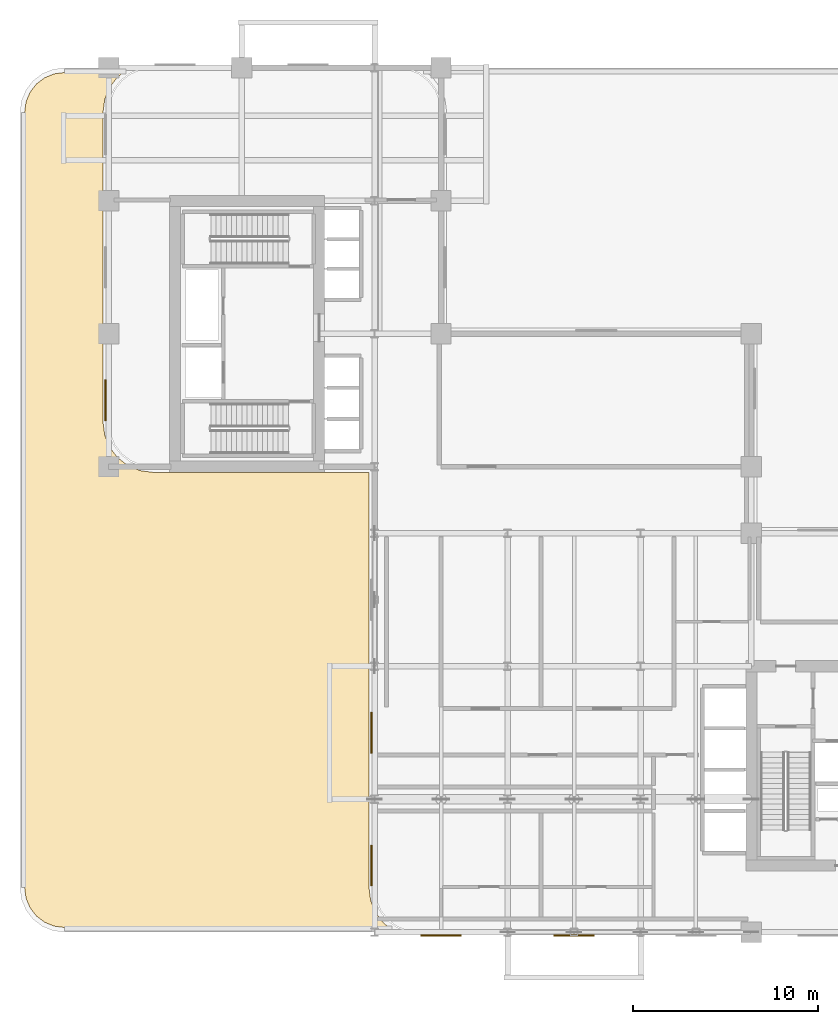
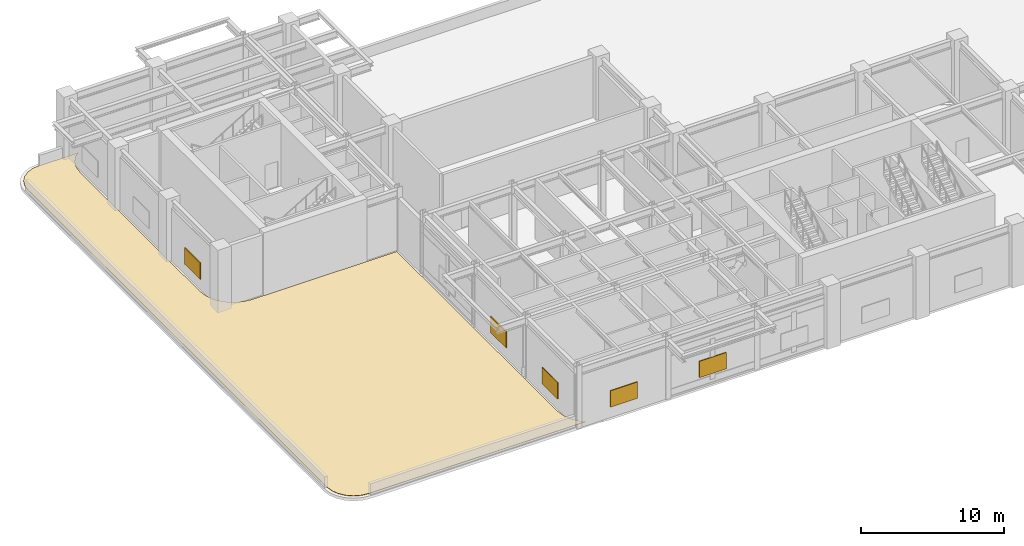
# One storey, part 10 of 14: 5 shading devices, 1 covering.
"""IFC4 building model written with IfcOpenShell, lengths in metres."""

import ifcopenshell
import ifcopenshell.guid

model = None  # the IFC model being written
_history = None  # IfcOwnerHistory: only IFC2X3 demands one
_inside = {}  # id of a spatial element -> (the spatial element, [elements in it])
_under = {}  # id of a project, library or spatial element -> (it, [spatial elements below it])
_declared = {}  # id of a project -> (the project, [libraries it declares])
_typed = {}  # id of a type object -> (the type object, [elements of that type])
_made_of = {}  # id of a material, layer set ... -> (it, [elements and type objects made of it])


def new_model(schema):
    """Start an empty IFC model of exactly this schema.

    Asked for "IFC4X3", IfcOpenShell would pick the latest addendum, in which some entities
    have other attributes; the version numbers below select the first issue.
    IFC2X3 requires an IfcOwnerHistory on every rooted entity: one is made here for all.
    """
    global model, _history
    if schema == "IFC4X3":
        model = ifcopenshell.file(schema_version=(4, 3, 0, 0))
    else:
        model = ifcopenshell.file(schema=schema)
    _inside.clear()
    _under.clear()
    _declared.clear()
    _typed.clear()
    _made_of.clear()
    _history = None
    if model.schema == "IFC2X3":
        org = make("IfcOrganization", Name="unknown")
        user = make(
            "IfcPersonAndOrganization",
            ThePerson=make("IfcPerson", FamilyName="unknown"),
            TheOrganization=org,
        )
        app = make(
            "IfcApplication",
            ApplicationDeveloper=org,
            Version="unknown",
            ApplicationFullName="unknown",
            ApplicationIdentifier="unknown",
        )
        _history = make(
            "IfcOwnerHistory",
            OwningUser=user,
            OwningApplication=app,
            ChangeAction="ADDED",
            CreationDate=0,
        )
    return model


def make(cls, **values):
    """One entity of the class cls with the attributes given. An attribute that is None is left unset."""
    return model.create_entity(
        cls, **{name: value for name, value in values.items() if value is not None}
    )


def rooted(cls, **values):
    """An entity with a GlobalId (a new one), such as an element, a storey or a relation."""
    return make(cls, GlobalId=ifcopenshell.guid.new(), OwnerHistory=_history, **values)


def si_unit(unit_type, name, prefix=None):
    """IfcSIUnit, for example si_unit("LENGTHUNIT", "METRE", prefix="MILLI")."""
    return make("IfcSIUnit", UnitType=unit_type, Prefix=prefix, Name=name)


def derived_unit(unit_type, elements):
    """IfcDerivedUnit: a product of units, each with its exponent."""
    return make(
        "IfcDerivedUnit",
        Elements=[
            make("IfcDerivedUnitElement", Unit=unit, Exponent=power)
            for unit, power in elements
        ],
        UnitType=unit_type,
    )


def assignment(units):
    """IfcUnitAssignment: the units of a project."""
    return None if units is None else make("IfcUnitAssignment", Units=units)


def point(xyz):
    """IfcCartesianPoint."""
    return None if xyz is None else make("IfcCartesianPoint", Coordinates=xyz)


def direction(xyz):
    """IfcDirection."""
    return None if xyz is None else make("IfcDirection", DirectionRatios=xyz)


def frame(location, z_axis=None, x_axis=None):
    """IfcAxis2Placement3D, a coordinate frame: its origin and axes. An axis left out is left unset."""
    return make(
        "IfcAxis2Placement3D",
        Location=point(location),
        Axis=direction(z_axis),
        RefDirection=direction(x_axis),
    )


def frame_2d(location, x_axis=None):
    """IfcAxis2Placement2D, a coordinate frame in the plane: its origin and x axis."""
    return make(
        "IfcAxis2Placement2D", Location=point(location), RefDirection=direction(x_axis)
    )


def origin():
    """The frame at (0, 0, 0) with its axes left unset."""
    return frame((0.0, 0.0, 0.0))


def origin_2d():
    """The frame at (0, 0) in the plane with its x axis left unset."""
    return frame_2d((0.0, 0.0))


def place(relative_to, where):
    """IfcLocalPlacement: puts the frame where relative to a parent placement (None: the world)."""
    return make(
        "IfcLocalPlacement", PlacementRelTo=relative_to, RelativePlacement=where
    )


def context(
    kind, dimensions, precision=None, world=None, true_north=None, identifier=None
):
    """IfcGeometricRepresentationContext, for example the 3D "Model" context."""
    return make(
        "IfcGeometricRepresentationContext",
        ContextIdentifier=identifier,
        ContextType=kind,
        CoordinateSpaceDimension=dimensions,
        Precision=precision,
        WorldCoordinateSystem=world,
        TrueNorth=true_north,
    )


def subcontext(parent, identifier, kind, view, scale=None):
    """IfcGeometricRepresentationSubContext, for example "Body" below "Model"."""
    return make(
        "IfcGeometricRepresentationSubContext",
        ContextIdentifier=identifier,
        ContextType=kind,
        ParentContext=parent,
        TargetScale=scale,
        TargetView=view,
    )


def project(units=None, contexts=None):
    """IfcProject with its units and contexts."""
    return rooted(
        "IfcProject",
        Name="project",
        RepresentationContexts=contexts,
        UnitsInContext=assignment(units),
    )


def spatial(cls, under=None, at=None, **own):
    """A site, building, storey or space (cls), placed at a placement, below another one or the project."""
    s = rooted(cls, ObjectPlacement=at, **own)
    if under is not None:
        _under.setdefault(under.id(), (under, []))[1].append(s)
    return s


def polyline(points):
    """IfcPolyline through the points."""
    return make("IfcPolyline", Points=[point(p) for p in points])


def profile(cls, at=None, kind="AREA", **sizes):
    """A parametric profile (cls). Its sizes go by their IFC names, for example OverallWidth=200.0."""
    return make(cls, ProfileType=kind, Position=at, **sizes)


def rectangle(**sizes):
    """IfcRectangleProfileDef."""
    return profile("IfcRectangleProfileDef", **sizes)


def outline(outer, holes=None, kind="AREA"):
    """IfcArbitraryClosedProfileDef: a profile drawn as a closed curve; with holes, ...WithVoids."""
    if holes is None:
        return make("IfcArbitraryClosedProfileDef", ProfileType=kind, OuterCurve=outer)
    return make(
        "IfcArbitraryProfileDefWithVoids",
        ProfileType=kind,
        OuterCurve=outer,
        InnerCurves=holes,
    )


def extrude(swept, where, along, depth):
    """IfcExtrudedAreaSolid: the profile swept, set in the frame where, extruded along a direction by depth."""
    return make(
        "IfcExtrudedAreaSolid",
        SweptArea=swept,
        Position=where,
        ExtrudedDirection=direction(along),
        Depth=depth,
    )


def shape(context_of_items, identifier, shape_type, items):
    """IfcShapeRepresentation: the items that make up one representation, for example the "Body"."""
    return make(
        "IfcShapeRepresentation",
        ContextOfItems=context_of_items,
        RepresentationIdentifier=identifier,
        RepresentationType=shape_type,
        Items=items,
    )


def source(mapping_origin, context_of_items, identifier, shape_type, items):
    """IfcRepresentationMap: a shape defined once, which mapped items show again and again."""
    return make(
        "IfcRepresentationMap",
        MappingOrigin=mapping_origin,
        MappedRepresentation=shape(context_of_items, identifier, shape_type, items),
    )


def transform(
    local_origin,
    x_axis=None,
    y_axis=None,
    z_axis=None,
    scale=None,
    scale2=None,
    scale3=None,
    uniform=True,
):
    """IfcCartesianTransformationOperator3D, or its non-uniform kind. x_axis, y_axis, z_axis: its Axis1, 2, 3."""
    if uniform:
        return make(
            "IfcCartesianTransformationOperator3D",
            Axis1=direction(x_axis),
            Axis2=direction(y_axis),
            LocalOrigin=point(local_origin),
            Scale=scale,
            Axis3=direction(z_axis),
        )
    return make(
        "IfcCartesianTransformationOperator3DnonUniform",
        Axis1=direction(x_axis),
        Axis2=direction(y_axis),
        LocalOrigin=point(local_origin),
        Scale=scale,
        Axis3=direction(z_axis),
        Scale2=scale2,
        Scale3=scale3,
    )


def mapped(mapping_source, mapping_target):
    """IfcMappedItem: shows the shape of a source again, moved by a transform."""
    return make(
        "IfcMappedItem", MappingSource=mapping_source, MappingTarget=mapping_target
    )


def material(Name=None, Category=None):
    """IfcMaterial."""
    return make("IfcMaterial", Name=Name, Category=Category)


def layer(
    of_material, thickness, ventilated=None, Name=None, Category=None, Priority=None
):
    """IfcMaterialLayer: one layer of a wall or slab, of a material (None: an air gap)."""
    return make(
        "IfcMaterialLayer",
        Material=of_material,
        LayerThickness=thickness,
        IsVentilated=ventilated,
        Name=Name,
        Category=Category,
        Priority=Priority,
    )


def layer_set(layers, Name=None):
    """IfcMaterialLayerSet."""
    return make("IfcMaterialLayerSet", MaterialLayers=layers, LayerSetName=Name)


def made_of(thing, what):
    """Note that an element or type object is made of a material, layer set ...; save() writes the relation."""
    if what is not None:
        _made_of.setdefault(what.id(), (what, []))[1].append(thing)
    return thing


def type_object(cls, material=None, **own):
    """A type object (cls), such as IfcWallType, which elements share."""
    return made_of(rooted(cls, **own), material)


def type_shapes(of_type, sources):
    """Give a type object the sources (RepresentationMaps) that its elements show as mapped items."""
    of_type.RepresentationMaps = sources


def element(
    cls,
    number,
    at=None,
    inside=None,
    cuts=None,
    type_object=None,
    material=None,
    context=None,
    identifier="Body",
    shape_type=None,
    held_by="IfcProductDefinitionShape",
    body=None,
    shapes=None,
    **own,
):
    """One element of the class cls, such as IfcWall. Its Tag is "e" and its number.

    at: its placement. inside: the storey or other place that contains it. cuts: it is an
    opening in that element (IfcRelVoidsElement). A single representation is given by context,
    identifier, shape_type and body (its items); several are given by shapes. held_by: the class
    of the entity that holds the representations. save() writes the other relations.
    """
    e = rooted(cls, Tag="e%d" % number, ObjectPlacement=at, **own)
    if body is not None:
        shapes = [shape(context, identifier, shape_type, body)]
    if shapes is not None:
        e.Representation = make(held_by, Representations=shapes)
    if inside is not None:
        _inside.setdefault(inside.id(), (inside, []))[1].append(e)
    if cuts is not None:
        rooted(
            "IfcRelVoidsElement", RelatingBuildingElement=cuts, RelatedOpeningElement=e
        )
    if type_object is not None:
        _typed.setdefault(type_object.id(), (type_object, []))[1].append(e)
    return made_of(e, material)


def aggregate(whole, parts):
    """IfcRelAggregates: a whole, such as a stair, and the parts it consists of."""
    return rooted("IfcRelAggregates", RelatingObject=whole, RelatedObjects=parts)


def save(model, path):
    """Write the relations noted so far, then the file.

    IfcRelAggregates (storeys below a building ...), IfcRelContainedInSpatialStructure (elements
    in a storey), IfcRelDefinesByType, IfcRelAssociatesMaterial and IfcRelDeclares: one each for
    every whole, place, type object, material and project.
    """
    for whole, parts in _under.values():
        aggregate(whole, parts)
    for where, things in _inside.values():
        rooted(
            "IfcRelContainedInSpatialStructure",
            RelatedElements=things,
            RelatingStructure=where,
        )
    for kind, things in _typed.values():
        rooted("IfcRelDefinesByType", RelatedObjects=things, RelatingType=kind)
    for what, things in _made_of.values():
        rooted("IfcRelAssociatesMaterial", RelatedObjects=things, RelatingMaterial=what)
    for by, libraries in _declared.values():
        rooted("IfcRelDeclares", RelatingContext=by, RelatedDefinitions=libraries)
    model.write(path)


model = new_model("IFC4")

# Units and contexts
model_context = context("Model", 3, precision=1e-05, world=origin(), true_north=direction((0.0, 1.0)))
body_context = subcontext(model_context, "Body", "Model", "MODEL_VIEW")
ifc_project = project(units=[si_unit("LENGTHUNIT", "METRE"), si_unit("AREAUNIT", "SQUARE_METRE"), si_unit("VOLUMEUNIT", "CUBIC_METRE"), si_unit("PLANEANGLEUNIT", "RADIAN"), si_unit("MASSUNIT", "GRAM", prefix="KILO"), si_unit("THERMODYNAMICTEMPERATUREUNIT", "KELVIN"), si_unit("POWERUNIT", "WATT"), derived_unit("THERMALTRANSMITTANCEUNIT", [(si_unit("POWERUNIT", "WATT"), 1), (si_unit("AREAUNIT", "SQUARE_METRE"), -1), (si_unit("THERMODYNAMICTEMPERATUREUNIT", "KELVIN"), -1)])], contexts=[model_context])

# Site, building, storey
site_placement = place(None, origin())
site = spatial("IfcSite", under=ifc_project, at=site_placement, CompositionType="ELEMENT")
building_placement = place(site_placement, origin())
building = spatial("IfcBuilding", under=site, at=building_placement, Name="Zahravan Archway Hotel and Residences", CompositionType="ELEMENT")
storey_placement = place(building_placement, frame((0.0, 0.0, 27.0)))
storey = spatial("IfcBuildingStorey", under=building, at=storey_placement, Name="L05", CompositionType="ELEMENT", Elevation=27.0)

# Covering
ifc_material_1 = material(Name="Elastomeric Reflective Roof Waterproofing")
ifc_layer_1 = layer(ifc_material_1, 0.034912109375, Name="Elastomeric Reflective Roof Waterproofing")
ifc_layer_set_1 = layer_set([ifc_layer_1], Name="Elastomeric Reflective Roof Waterproofing")
covering_type = type_object("IfcCoveringType", Name="COV-ROOF-MEMB", PredefinedType="ROOFING", material=ifc_layer_set_1)
covering_placement = place(storey_placement, origin())
element("IfcCovering", 1, at=covering_placement, inside=storey, type_object=covering_type, Name="L05 Elastomeric Roof Membrane (SLB-L05-PODROOF-2)", PredefinedType="ROOFING", context=body_context, shape_type="SweptSolid", body=[
    extrude(outline(polyline([(-2.383544921875, 0.25), (-2.955810546875, 0.325439453125), (-3.473876953125, 0.539794921875), (-3.918701171875, 0.881103515625), (-4.260009765625, 1.326171875), (-4.474609375, 1.843994140625), (-4.550048828125, 2.41650390625), (-4.550048828125, 44.383544921875), (-4.474609375, 44.955810546875), (-4.260009765625, 45.473876953125), (-3.918701171875, 45.918701171875), (-3.473876953125, 46.260009765625), (-2.955810546875, 46.474609375), (-2.383544921875, 46.550048828125), (0.80029296875, 46.550048828125), (0.520263671875, 46.335205078125), (0.513671875, 46.329833984375), (0.51025390625, 46.326904296875), (0.4921875, 46.310791015625), (0.4892578125, 46.3076171875), (0.472900390625, 46.289794921875), (0.47021484375, 46.286376953125), (0.46484375, 46.27978515625), (0.08349609375, 45.78271484375), (0.078369140625, 45.775634765625), (0.075927734375, 45.772216796875), (0.06298828125, 45.752197265625), (0.060791015625, 45.748291015625), (0.049072265625, 45.7255859375), (0.04736328125, 45.7216796875), (0.044189453125, 45.71484375), (-0.1953125, 45.135986328125), (-0.19921875, 45.126220703125), (-0.20068359375, 45.1220703125), (-0.207763671875, 45.099609375), (-0.208740234375, 45.09521484375), (-0.212890625, 45.07763671875), (-0.213623046875, 45.073486328125), (-0.2158203125, 45.060302734375), (-0.297607421875, 44.439208984375), (-0.299072265625, 44.421875), (-0.299560546875, 44.415283203125), (-0.300048828125, 44.39990234375), (-0.300048828125, 27.60009765625), (-0.299560546875, 27.584716796875), (-0.299072265625, 27.578125), (-0.297607421875, 27.560791015625), (-0.2158203125, 26.939697265625), (-0.213623046875, 26.926513671875), (-0.212890625, 26.92236328125), (-0.208740234375, 26.90478515625), (-0.207763671875, 26.900390625), (-0.20068359375, 26.8779296875), (-0.19921875, 26.873779296875), (-0.1953125, 26.864013671875), (0.044189453125, 26.28515625), (0.04736328125, 26.2783203125), (0.049072265625, 26.2744140625), (0.060791015625, 26.251708984375), (0.06298828125, 26.247802734375), (0.075927734375, 26.227783203125), (0.078369140625, 26.224365234375), (0.08349609375, 26.21728515625), (0.46484375, 25.72021484375), (0.47021484375, 25.713623046875), (0.472900390625, 25.710205078125), (0.4892578125, 25.6923828125), (0.4921875, 25.689208984375), (0.51025390625, 25.673095703125), (0.513671875, 25.670166015625), (0.520263671875, 25.664794921875), (1.017333984375, 25.283447265625), (1.0244140625, 25.2783203125), (1.02783203125, 25.27587890625), (1.0478515625, 25.262939453125), (1.051513671875, 25.2607421875), (1.07421875, 25.2490234375), (1.078369140625, 25.247314453125), (1.085205078125, 25.244384765625), (1.6640625, 25.004638671875), (1.673828125, 25.000732421875), (1.677978515625, 24.999267578125), (1.700439453125, 24.9921875), (1.70458984375, 24.9912109375), (1.722412109375, 24.9873046875), (1.7265625, 24.986328125), (1.73974609375, 24.984375), (2.36083984375, 24.902587890625), (2.378173828125, 24.90087890625), (2.384521484375, 24.900390625), (2.39990234375, 24.89990234375), (14.10009765625, 24.89990234375), (14.10009765625, 2.39990234375), (14.1005859375, 2.384521484375), (14.100830078125, 2.378173828125), (14.1025390625, 2.36083984375), (14.184326171875, 1.73974609375), (14.186279296875, 1.7265625), (14.187255859375, 1.722412109375), (14.191162109375, 1.70458984375), (14.1923828125, 1.700439453125), (14.19921875, 1.677978515625), (14.20068359375, 1.673828125), (14.20458984375, 1.6640625), (14.4443359375, 1.085205078125), (14.447265625, 1.078369140625), (14.44921875, 1.07421875), (14.460693359375, 1.051513671875), (14.462890625, 1.0478515625), (14.475830078125, 1.02783203125), (14.478515625, 1.0244140625), (14.4833984375, 1.017333984375), (14.864990234375, 0.520263671875), (14.8701171875, 0.513671875), (14.873046875, 0.51025390625), (14.88916015625, 0.4921875), (14.892333984375, 0.4892578125), (14.91015625, 0.472900390625), (14.91357421875, 0.47021484375), (14.92041015625, 0.46484375), (15.200439453125, 0.25), (-2.383544921875, 0.25)])), origin(), (0.0, 0.0, 1.0), 0.034912109375),
])

# Shading devices
ifc_material_2 = material(Name="Bronze Acoustic Intake Louvre")
ifc_layer_2 = layer(ifc_material_2, 0.080078125, Name="Bronze Acoustic Intake Louvre")
ifc_layer_set_2 = layer_set([ifc_layer_2], Name="Bronze Acoustic Intake Louvre")
shading_device_type = type_object("IfcShadingDeviceType", Name="SHD-LOUVRE-60", PredefinedType="USERDEFINED", material=ifc_layer_set_2)
shared_shape = source(origin(), body_context, "Body", "SweptSolid", [
    extrude(rectangle(XDim=2.199951171875, YDim=0.080078125, at=origin_2d()), origin(), (0.0, 0.0, 1.0), 1.39990234375),
])
type_shapes(shading_device_type, [shared_shape])
for number, where, z_axis, x_axis, name in (
    (2, (18.0, -0.179931640625, 0.949951171875), (0.0, 0.0, 1.0), (1.0, 0.0, 0.0), "L05 Acoustic Plant Intake Louvre 01"),
    (3, (25.199951171875, -0.179931640625, 0.949951171875), (0.0, 0.0, 1.0), (1.0, 0.0, 0.0), "L05 Acoustic Plant Intake Louvre 02"),
    (4, (14.219970703125, 3.60009765625, 0.949951171875), (0.0, 0.0, 1.0), (0.0, 1.0, 0.0), "L05 Acoustic Plant Intake Louvre 13"),
    (5, (14.219970703125, 10.800048828125, 0.949951171875), (0.0, 0.0, 1.0), (0.0, 1.0, 0.0), "L05 Acoustic Plant Intake Louvre 14"),
    (6, (-0.179931640625, 28.800048828125, 0.949951171875), (0.0, 0.0, 1.0), (0.0, 1.0, 0.0), "L05 Acoustic Plant Intake Louvre 16"),
):
    element("IfcShadingDevice", number, at=place(storey_placement, frame(where, z_axis=z_axis, x_axis=x_axis)), inside=storey, type_object=shading_device_type, Name=name, ObjectType="LOUVER", PredefinedType="USERDEFINED", context=body_context, shape_type="MappedRepresentation", body=[
        mapped(shared_shape, transform((0.0, 0.0, 0.0), scale=1.0)),
    ])

save(model, "model.ifc")
